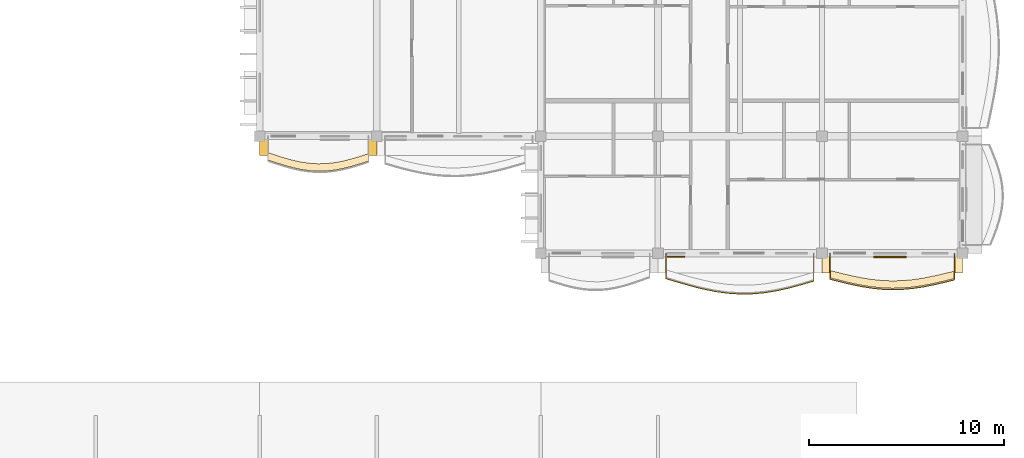
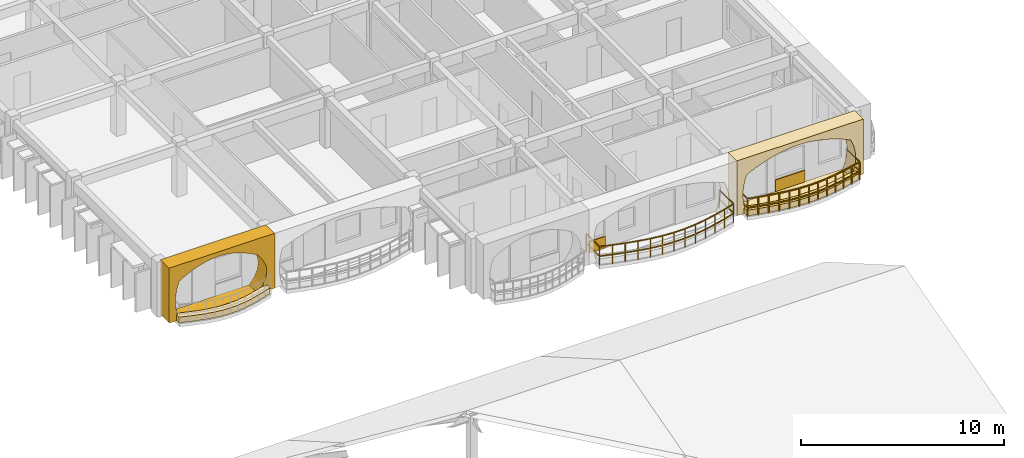
# One storey, part 90 of 101: 6 coverings, 2 railings.
"""IFC4 building model written with IfcOpenShell, lengths in metres."""

from ifc_helpers import new_model, si_unit, direction, frame, origin, origin_2d, place, context, subcontext, project, spatial, polyline, rectangle, outline, extrude, material, layer, layer_set, type_object, element, save


model = new_model("IFC4")

# Units and contexts
model_context = context("Model", 3, precision=1e-05, world=origin(), true_north=direction((0.0, 1.0)))
body_context = subcontext(model_context, "Body", "Model", "MODEL_VIEW")
ifc_project = project(units=[si_unit("LENGTHUNIT", "METRE"), si_unit("AREAUNIT", "SQUARE_METRE"), si_unit("VOLUMEUNIT", "CUBIC_METRE"), si_unit("PLANEANGLEUNIT", "RADIAN"), si_unit("MASSUNIT", "GRAM", prefix="KILO"), si_unit("THERMODYNAMICTEMPERATUREUNIT", "KELVIN")], contexts=[model_context])

# Site, building, storey
site_placement = place(None, origin())
site = spatial("IfcSite", under=ifc_project, at=site_placement, CompositionType="ELEMENT")
building_placement = place(site_placement, origin())
building = spatial("IfcBuilding", under=site, at=building_placement, Name="Thalorik Housing Commons", CompositionType="ELEMENT")
storey_placement = place(building_placement, frame((0.0, 0.0, 8.10009765625)))
storey = spatial("IfcBuildingStorey", under=building, at=storey_placement, Name="L02", CompositionType="ELEMENT", Elevation=8.10009765625)

# Coverings
ifc_material_1 = material(Name="Cobalt blue glazed ceramic facade tile panel", Category="masonry")
ifc_layer_1 = layer(ifc_material_1, 0.06005859375, Name="Cobalt blue glazed ceramic facade tile panel", Category="masonry")
ifc_layer_set_1 = layer_set([ifc_layer_1], Name="Cobalt blue glazed ceramic facade tile panel")
covering_type_1 = type_object("IfcCoveringType", Name="ARC-CLD-BLU-60", PredefinedType="CLADDING", material=ifc_layer_set_1)
covering_1_placement = place(storey_placement, frame((170.2900390625, 37.012451171875, 0.0498046875), z_axis=(0.0, 0.0, 1.0), x_axis=(1.0, 0.0, 0.0)))
element("IfcCovering", 1, at=covering_1_placement, inside=storey, type_object=covering_type_1, Name="L02 De Stijl Recessed Window Spandrel 4671", PredefinedType="CLADDING", context=body_context, shape_type="SweptSolid", body=[
    extrude(rectangle(XDim=1.679931640625, YDim=0.06005859375, at=origin_2d()), origin(), (0.0, 0.0, 1.0), 0.699951171875),
])
ifc_material_2 = material(Name="Precast concrete C40/50", Category="concrete")
ifc_layer_2 = layer(ifc_material_2, 0.85009765625, Name="Precast concrete C40/50", Category="concrete")
ifc_layer_set_2 = layer_set([ifc_layer_2], Name="Precast concrete C40/50")
covering_type_2 = type_object("IfcCoveringType", Name="ARC-CLD-CUSH-850", PredefinedType="CLADDING", material=ifc_layer_set_2)
covering_2_placement = place(storey_placement, frame((141.0, 42.62255859375, 0.0), z_axis=(0.0, 0.0, 1.0), x_axis=(1.0, 0.0, 0.0)))
element("IfcCovering", 2, at=covering_2_placement, inside=storey, type_object=covering_type_2, Name="L02 White Precast Curved Cushion Bay Frame 4655", PredefinedType="CLADDING", context=body_context, shape_type="SweptSolid", body=[
    extrude(outline(polyline([(-3.0, 0.0), (3.0, 0.0), (3.0, 3.300048828125), (-3.0, 3.300048828125), (-3.0, 0.0)]), holes=[polyline([(2.0400390625, 0.02490234375), (2.3232421875, 0.407470703125), (2.493408203125, 0.7900390625), (2.550048828125, 1.172607421875), (2.493408203125, 1.554931640625), (2.3232421875, 1.9375), (2.0400390625, 2.320068359375), (1.66748046875, 2.539306640625), (1.294921875, 2.711181640625), (0.922607421875, 2.8505859375), (0.550048828125, 2.954345703125), (0.177490234375, 3.018310546875), (-0.195068359375, 3.0400390625), (-0.5673828125, 3.018310546875), (-0.93994140625, 2.954345703125), (-1.3125, 2.8505859375), (-1.68505859375, 2.711181640625), (-2.0576171875, 2.539306640625), (-2.429931640625, 2.320068359375), (-2.55029296875, 1.9375), (-2.62255859375, 1.554931640625), (-2.646484375, 1.172607421875), (-2.62255859375, 0.7900390625), (-2.55029296875, 0.407470703125), (-2.429931640625, 0.02490234375), (2.0400390625, 0.02490234375)])]), frame((0.0, 0.425048828125, 0.0), z_axis=(0.0, -1.0, 0.0), x_axis=(1.0, 0.0, 0.0)), (0.0, 0.0, 1.0), 0.85009765625),
])
covering_3_placement = place(storey_placement, frame((170.39990234375, 36.62255859375, 0.0), z_axis=(0.0, 0.0, 1.0), x_axis=(1.0, 0.0, 0.0)))
element("IfcCovering", 3, at=covering_3_placement, inside=storey, type_object=covering_type_2, Name="L02 White Precast Curved Cushion Bay Frame 4670", PredefinedType="CLADDING", context=body_context, shape_type="SweptSolid", body=[
    extrude(outline(polyline([(-3.60009765625, 0.0), (3.60009765625, 0.0), (3.60009765625, 3.300048828125), (-3.60009765625, 3.300048828125), (-3.60009765625, 0.0)]), holes=[polyline([(2.889892578125, 0.02490234375), (3.039794921875, 0.40087890625), (3.1298828125, 0.776611328125), (3.159912109375, 1.152587890625), (3.1298828125, 1.5283203125), (3.039794921875, 1.904296875), (2.889892578125, 2.280029296875), (2.396728515625, 2.51123046875), (1.9033203125, 2.693115234375), (1.409912109375, 2.840087890625), (0.916748046875, 2.94970703125), (0.42333984375, 3.01708984375), (-0.070068359375, 3.0400390625), (-0.563232421875, 3.01708984375), (-1.056640625, 2.94970703125), (-1.550048828125, 2.840087890625), (-2.043212890625, 2.693115234375), (-2.53662109375, 2.51123046875), (-3.030029296875, 2.280029296875), (-3.150390625, 1.904296875), (-3.222412109375, 1.5283203125), (-3.24658203125, 1.152587890625), (-3.222412109375, 0.776611328125), (-3.150390625, 0.40087890625), (-3.030029296875, 0.02490234375), (2.889892578125, 0.02490234375)])]), frame((0.0, 0.425048828125, 0.0), z_axis=(0.0, -1.0, 0.0), x_axis=(1.0, 0.0, 0.0)), (0.0, 0.0, 1.0), 0.85009765625),
])
ifc_material_3 = material(Name="Terracotta red mineral fibre-cement panel", Category="masonry")
ifc_layer_3 = layer(ifc_material_3, 0.054931640625, Name="Terracotta red mineral fibre-cement panel", Category="masonry")
ifc_layer_set_3 = layer_set([ifc_layer_3], Name="Terracotta red mineral fibre-cement panel")
covering_type_3 = type_object("IfcCoveringType", Name="ARC-CLD-RED-55", PredefinedType="CLADDING", material=ifc_layer_set_3)
covering_4_placement = place(storey_placement, frame((159.3349609375, 37.014892578125, 0.0498046875), z_axis=(0.0, 0.0, 1.0), x_axis=(1.0, 0.0, 0.0)))
element("IfcCovering", 4, at=covering_4_placement, inside=storey, type_object=covering_type_3, Name="L02 De Stijl Recessed Window Spandrel 4669", PredefinedType="CLADDING", context=body_context, shape_type="SweptSolid", body=[
    extrude(rectangle(XDim=0.89990234375, YDim=0.054931640625, at=origin_2d()), origin(), (0.0, 0.0, 1.0), 0.699951171875),
])
ifc_material_4 = material(Name="Planted vegetated substrate and terracotta trough", Category="masonry")
ifc_layer_4 = layer(ifc_material_4, 0.340087890625, Name="Planted vegetated substrate and terracotta trough", Category="masonry")
ifc_layer_set_4 = layer_set([ifc_layer_4], Name="Planted vegetated substrate and terracotta trough")
covering_type_4 = type_object("IfcCoveringType", Name="ARC-COV-PLANTER", PredefinedType="USERDEFINED", material=ifc_layer_set_4)
covering_5_placement = place(storey_placement, origin())
element("IfcCovering", 5, at=covering_5_placement, inside=storey, type_object=covering_type_4, Name="L02 Balcony Slab-Edge Planted Trough 5652", ObjectType="PLANTER", PredefinedType="USERDEFINED", context=body_context, shape_type="SweptSolid", body=[
    extrude(outline(polyline([(167.219970703125, 35.937744140625), (167.75, 35.80419921875), (168.280029296875, 35.678466796875), (168.81005859375, 35.56884765625), (169.340087890625, 35.4833984375), (169.8701171875, 35.42822265625), (170.39990234375, 35.406982421875), (170.929931640625, 35.421142578125), (171.4599609375, 35.469482421875), (171.989990234375, 35.549072265625), (172.52001953125, 35.653564453125), (173.050048828125, 35.77587890625), (173.580078125, 35.9072265625), (173.580078125, 36.287109375), (173.050048828125, 36.156005859375), (172.52001953125, 36.03369140625), (171.989990234375, 35.928955078125), (171.4599609375, 35.849609375), (170.929931640625, 35.801025390625), (170.39990234375, 35.787109375), (169.8701171875, 35.808349609375), (169.340087890625, 35.863525390625), (168.81005859375, 35.948974609375), (168.280029296875, 36.058349609375), (167.75, 36.184326171875), (167.219970703125, 36.31787109375), (167.219970703125, 35.937744140625)])), origin(), (0.0, 0.0, 1.0), 0.33984375),
])
covering_6_placement = place(storey_placement, origin())
element("IfcCovering", 6, at=covering_6_placement, inside=storey, type_object=covering_type_4, Name="L02 Balcony Slab-Edge Planted Trough 5653", ObjectType="PLANTER", PredefinedType="USERDEFINED", context=body_context, shape_type="SweptSolid", body=[
    extrude(outline(polyline([(138.419921875, 41.978271484375), (138.85009765625, 41.83544921875), (139.280029296875, 41.7001953125), (139.7099609375, 41.581787109375), (140.139892578125, 41.4892578125), (140.570068359375, 41.428466796875), (141.0, 41.40380859375), (141.429931640625, 41.4169921875), (141.860107421875, 41.466796875), (142.2900390625, 41.549072265625), (142.719970703125, 41.658203125), (143.14990234375, 41.78564453125), (143.580078125, 41.922607421875), (143.580078125, 42.302734375), (143.14990234375, 42.165771484375), (142.719970703125, 42.0380859375), (142.2900390625, 41.928955078125), (141.860107421875, 41.8466796875), (141.429931640625, 41.797119140625), (141.0, 41.783935546875), (140.570068359375, 41.80859375), (140.139892578125, 41.869140625), (139.7099609375, 41.9619140625), (139.280029296875, 42.080078125), (138.85009765625, 42.21533203125), (138.419921875, 42.3583984375), (138.419921875, 41.978271484375)])), origin(), (0.0, 0.0, 1.0), 0.33984375),
])

# Railings
ifc_material_5 = material(Name="Steel S355", Category="steel")
railing_type_1 = type_object("IfcRailingType", Name="ARC-RL-BAL-112", PredefinedType="BALUSTRADE", material=ifc_material_5)
railing_1_placement = place(storey_placement, frame((167.219970703125, 37.199951171875, 0.0)))
element("IfcRailing", 7, at=railing_1_placement, inside=storey, type_object=railing_type_1, Name="L02 Cushion Balcony Guardrail 336", PredefinedType="BALUSTRADE", context=body_context, shape_type="SweptSolid", body=[
    extrude(rectangle(XDim=0.050048828125, YDim=0.050048828125, at=origin_2d()), frame((0.0, 0.0, 1.09521484375), z_axis=(0.0, -1.0, 0.0), x_axis=(1.0, 0.0, 0.0)), (0.0, 0.0, 1.0), 1.33203125),
    extrude(rectangle(XDim=0.050048828125, YDim=0.050048828125, at=origin_2d()), frame((0.0, 0.0, 0.53515625), z_axis=(0.0, -1.0, 0.0), x_axis=(1.0, 0.0, 0.0)), (0.0, 0.0, 1.0), 1.33203125),
    extrude(rectangle(XDim=0.050048828125, YDim=0.050048828125, at=origin_2d()), frame((0.0, -1.33203125, 1.09521484375), z_axis=(0.969694197146, -0.244321845158, 0.0), x_axis=(0.244321845158, 0.969694197146, 0.0)), (0.0, 0.0, 1.0), 0.546630859375),
    extrude(rectangle(XDim=0.050048828125, YDim=0.050048828125, at=origin_2d()), frame((0.0, -1.33203125, 0.53515625), z_axis=(0.969694197146, -0.244321845158, 0.0), x_axis=(0.244321845158, 0.969694197146, 0.0)), (0.0, 0.0, 1.0), 0.546630859375),
    extrude(rectangle(XDim=0.050048828125, YDim=0.050048828125, at=origin_2d()), frame((0.530029296875, -1.465576171875, 1.09521484375), z_axis=(0.972897496671, -0.231236807131, 0.0), x_axis=(0.231236807131, 0.972897496671, 0.0)), (0.0, 0.0, 1.0), 0.544677734375),
    extrude(rectangle(XDim=0.050048828125, YDim=0.050048828125, at=origin_2d()), frame((0.530029296875, -1.465576171875, 0.53515625), z_axis=(0.972897496671, -0.231236807131, 0.0), x_axis=(0.231236807131, 0.972897496671, 0.0)), (0.0, 0.0, 1.0), 0.544677734375),
    extrude(rectangle(XDim=0.050048828125, YDim=0.050048828125, at=origin_2d()), frame((1.06005859375, -1.591552734375, 1.09521484375), z_axis=(0.979275846701, -0.202531024951, 0.0), x_axis=(0.202531024951, 0.979275846701, 0.0)), (0.0, 0.0, 1.0), 0.541259765625),
    extrude(rectangle(XDim=0.050048828125, YDim=0.050048828125, at=origin_2d()), frame((1.06005859375, -1.591552734375, 0.53515625), z_axis=(0.979275846701, -0.202531024951, 0.0), x_axis=(0.202531024951, 0.979275846701, 0.0)), (0.0, 0.0, 1.0), 0.541259765625),
    extrude(rectangle(XDim=0.050048828125, YDim=0.050048828125, at=origin_2d()), frame((1.590087890625, -1.701171875, 1.09521484375), z_axis=(0.987324008957, -0.158717678087, 0.0), x_axis=(0.158717678087, 0.987324008957, 0.0)), (0.0, 0.0, 1.0), 0.536865234375),
    extrude(rectangle(XDim=0.050048828125, YDim=0.050048828125, at=origin_2d()), frame((1.590087890625, -1.701171875, 0.53515625), z_axis=(0.987324008957, -0.158717678087, 0.0), x_axis=(0.158717678087, 0.987324008957, 0.0)), (0.0, 0.0, 1.0), 0.536865234375),
    extrude(rectangle(XDim=0.050048828125, YDim=0.050048828125, at=origin_2d()), frame((2.1201171875, -1.786376953125, 1.09521484375), z_axis=(0.994625291604, -0.1035399889, 0.0), x_axis=(0.1035399889, 0.994625291604, 0.0)), (0.0, 0.0, 1.0), 0.532958984375),
    extrude(rectangle(XDim=0.050048828125, YDim=0.050048828125, at=origin_2d()), frame((2.1201171875, -1.786376953125, 0.53515625), z_axis=(0.994625291604, -0.1035399889, 0.0), x_axis=(0.1035399889, 0.994625291604, 0.0)), (0.0, 0.0, 1.0), 0.532958984375),
    extrude(rectangle(XDim=0.050048828125, YDim=0.050048828125, at=origin_2d()), frame((2.650146484375, -1.841552734375, 1.09521484375), z_axis=(0.999178740093, -0.040519690842, 0.0), x_axis=(0.040519690842, 0.999178740093, 0.0)), (0.0, 0.0, 1.0), 0.5302734375),
    extrude(rectangle(XDim=0.050048828125, YDim=0.050048828125, at=origin_2d()), frame((2.650146484375, -1.841552734375, 0.53515625), z_axis=(0.999178740093, -0.040519690842, 0.0), x_axis=(0.040519690842, 0.999178740093, 0.0)), (0.0, 0.0, 1.0), 0.5302734375),
    extrude(rectangle(XDim=0.050048828125, YDim=0.050048828125, at=origin_2d()), frame((3.179931640625, -1.863037109375, 1.09521484375), z_axis=(0.999643323955, 0.026706270285, 0.0), x_axis=(-0.026706270285, 0.999643323955, 0.0)), (0.0, 0.0, 1.0), 0.5302734375),
    extrude(rectangle(XDim=0.050048828125, YDim=0.050048828125, at=origin_2d()), frame((3.179931640625, -1.863037109375, 0.53515625), z_axis=(0.999643323955, 0.026706270285, 0.0), x_axis=(-0.026706270285, 0.999643323955, 0.0)), (0.0, 0.0, 1.0), 0.5302734375),
    extrude(rectangle(XDim=0.050048828125, YDim=0.050048828125, at=origin_2d()), frame((3.7099609375, -1.848876953125, 1.09521484375), z_axis=(0.995825252028, 0.091280158984, 0.0), x_axis=(-0.091280158984, 0.995825252028, 0.0)), (0.0, 0.0, 1.0), 0.5322265625),
    extrude(rectangle(XDim=0.050048828125, YDim=0.050048828125, at=origin_2d()), frame((3.7099609375, -1.848876953125, 0.53515625), z_axis=(0.995825252028, 0.091280158984, 0.0), x_axis=(-0.091280158984, 0.995825252028, 0.0)), (0.0, 0.0, 1.0), 0.5322265625),
    extrude(rectangle(XDim=0.050048828125, YDim=0.050048828125, at=origin_2d()), frame((4.239990234375, -1.80029296875, 1.09521484375), z_axis=(0.988979748374, 0.148050860535, 0.0), x_axis=(-0.148050860535, 0.988979748374, 0.0)), (0.0, 0.0, 1.0), 0.535888671875),
    extrude(rectangle(XDim=0.050048828125, YDim=0.050048828125, at=origin_2d()), frame((4.239990234375, -1.80029296875, 0.53515625), z_axis=(0.988979748374, 0.148050860535, 0.0), x_axis=(-0.148050860535, 0.988979748374, 0.0)), (0.0, 0.0, 1.0), 0.535888671875),
    extrude(rectangle(XDim=0.050048828125, YDim=0.050048828125, at=origin_2d()), frame((4.77001953125, -1.720947265625, 1.09521484375), z_axis=(0.981115800949, 0.193421263384, 0.0), x_axis=(-0.193421263384, 0.981115800949, 0.0)), (0.0, 0.0, 1.0), 0.540283203125),
    extrude(rectangle(XDim=0.050048828125, YDim=0.050048828125, at=origin_2d()), frame((4.77001953125, -1.720947265625, 0.53515625), z_axis=(0.981115800949, 0.193421263384, 0.0), x_axis=(-0.193421263384, 0.981115800949, 0.0)), (0.0, 0.0, 1.0), 0.540283203125),
    extrude(rectangle(XDim=0.050048828125, YDim=0.050048828125, at=origin_2d()), frame((5.300048828125, -1.616455078125, 1.09521484375), z_axis=(0.974391195695, 0.224859506699, 0.0), x_axis=(-0.224859506699, 0.974391195695, 0.0)), (0.0, 0.0, 1.0), 0.5439453125),
    extrude(rectangle(XDim=0.050048828125, YDim=0.050048828125, at=origin_2d()), frame((5.300048828125, -1.616455078125, 0.53515625), z_axis=(0.974391195695, 0.224859506699, 0.0), x_axis=(-0.224859506699, 0.974391195695, 0.0)), (0.0, 0.0, 1.0), 0.5439453125),
    extrude(rectangle(XDim=0.050048828125, YDim=0.050048828125, at=origin_2d()), frame((5.830078125, -1.494140625, 1.09521484375), z_axis=(0.970640133933, 0.24053633904, 0.0), x_axis=(-0.24053633904, 0.970640133933, 0.0)), (0.0, 0.0, 1.0), 0.546142578125),
    extrude(rectangle(XDim=0.050048828125, YDim=0.050048828125, at=origin_2d()), frame((5.830078125, -1.494140625, 0.53515625), z_axis=(0.970640133933, 0.24053633904, 0.0), x_axis=(-0.24053633904, 0.970640133933, 0.0)), (0.0, 0.0, 1.0), 0.546142578125),
    extrude(rectangle(XDim=0.050048828125, YDim=0.050048828125, at=origin_2d()), frame((6.360107421875, -1.36279296875, 1.09521484375), z_axis=(0.0, 1.0, 0.0), x_axis=(-1.0, 0.0, 0.0)), (0.0, 0.0, 1.0), 1.36279296875),
    extrude(rectangle(XDim=0.050048828125, YDim=0.050048828125, at=origin_2d()), frame((6.360107421875, -1.36279296875, 0.53515625), z_axis=(0.0, 1.0, 0.0), x_axis=(-1.0, 0.0, 0.0)), (0.0, 0.0, 1.0), 1.36279296875),
    extrude(rectangle(XDim=0.0419921875, YDim=0.0419921875, at=origin_2d()), origin(), (0.0, 0.0, 1.0), 1.070068359375),
    extrude(rectangle(XDim=0.0419921875, YDim=0.0419921875, at=origin_2d()), frame((0.0, -1.33203125, 0.0)), (0.0, 0.0, 1.0), 1.070068359375),
    extrude(rectangle(XDim=0.0419921875, YDim=0.0419921875, at=origin_2d()), frame((0.530029296875, -1.465576171875, 0.0)), (0.0, 0.0, 1.0), 1.070068359375),
    extrude(rectangle(XDim=0.0419921875, YDim=0.0419921875, at=origin_2d()), frame((1.06005859375, -1.591552734375, 0.0)), (0.0, 0.0, 1.0), 1.070068359375),
    extrude(rectangle(XDim=0.0419921875, YDim=0.0419921875, at=origin_2d()), frame((1.590087890625, -1.701171875, 0.0)), (0.0, 0.0, 1.0), 1.070068359375),
    extrude(rectangle(XDim=0.0419921875, YDim=0.0419921875, at=origin_2d()), frame((2.1201171875, -1.786376953125, 0.0)), (0.0, 0.0, 1.0), 1.070068359375),
    extrude(rectangle(XDim=0.0419921875, YDim=0.0419921875, at=origin_2d()), frame((2.650146484375, -1.841552734375, 0.0)), (0.0, 0.0, 1.0), 1.070068359375),
    extrude(rectangle(XDim=0.0419921875, YDim=0.0419921875, at=origin_2d()), frame((3.179931640625, -1.863037109375, 0.0)), (0.0, 0.0, 1.0), 1.070068359375),
    extrude(rectangle(XDim=0.0419921875, YDim=0.0419921875, at=origin_2d()), frame((3.7099609375, -1.848876953125, 0.0)), (0.0, 0.0, 1.0), 1.070068359375),
    extrude(rectangle(XDim=0.0419921875, YDim=0.0419921875, at=origin_2d()), frame((4.239990234375, -1.80029296875, 0.0)), (0.0, 0.0, 1.0), 1.070068359375),
    extrude(rectangle(XDim=0.0419921875, YDim=0.0419921875, at=origin_2d()), frame((4.77001953125, -1.720947265625, 0.0)), (0.0, 0.0, 1.0), 1.070068359375),
    extrude(rectangle(XDim=0.0419921875, YDim=0.0419921875, at=origin_2d()), frame((5.300048828125, -1.616455078125, 0.0)), (0.0, 0.0, 1.0), 1.070068359375),
    extrude(rectangle(XDim=0.0419921875, YDim=0.0419921875, at=origin_2d()), frame((5.830078125, -1.494140625, 0.0)), (0.0, 0.0, 1.0), 1.070068359375),
    extrude(rectangle(XDim=0.0419921875, YDim=0.0419921875, at=origin_2d()), frame((6.360107421875, -1.36279296875, 0.0)), (0.0, 0.0, 1.0), 1.070068359375),
    extrude(rectangle(XDim=0.0419921875, YDim=0.0419921875, at=origin_2d()), frame((6.360107421875, 0.0, 0.0)), (0.0, 0.0, 1.0), 1.070068359375),
])
railing_type_2 = type_object("IfcRailingType", Name="ARC-RL-BAL-115", PredefinedType="BALUSTRADE", material=ifc_material_5)
railing_2_placement = place(storey_placement, frame((158.820068359375, 37.199951171875, 0.0)))
element("IfcRailing", 8, at=railing_2_placement, inside=storey, type_object=railing_type_2, Name="L02 Cushion Balcony Guardrail 335", PredefinedType="BALUSTRADE", context=body_context, shape_type="SweptSolid", body=[
    extrude(rectangle(XDim=0.050048828125, YDim=0.050048828125, at=origin_2d()), frame((0.0, 0.0, 1.125), z_axis=(0.0, -1.0, 0.0), x_axis=(1.0, 0.0, 0.0)), (0.0, 0.0, 1.0), 1.301513671875),
    extrude(rectangle(XDim=0.050048828125, YDim=0.050048828125, at=origin_2d()), frame((0.0, 0.0, 0.5498046875), z_axis=(0.0, -1.0, 0.0), x_axis=(1.0, 0.0, 0.0)), (0.0, 0.0, 1.0), 1.301513671875),
    extrude(rectangle(XDim=0.050048828125, YDim=0.050048828125, at=origin_2d()), frame((0.0, -1.301513671875, 1.125), z_axis=(0.958437567863, -0.285302345782, 0.0), x_axis=(0.285302345782, 0.958437567863, 0.0)), (0.0, 0.0, 1.0), 0.6572265625),
    extrude(rectangle(XDim=0.050048828125, YDim=0.050048828125, at=origin_2d()), frame((0.0, -1.301513671875, 0.5498046875), z_axis=(0.958437567863, -0.285302345782, 0.0), x_axis=(0.285302345782, 0.958437567863, 0.0)), (0.0, 0.0, 1.0), 0.6572265625),
    extrude(rectangle(XDim=0.050048828125, YDim=0.050048828125, at=origin_2d()), frame((0.6298828125, -1.489013671875, 1.125), z_axis=(0.96166442312, -0.274228986988, 0.0), x_axis=(0.274228986988, 0.96166442312, 0.0)), (0.0, 0.0, 1.0), 0.6552734375),
    extrude(rectangle(XDim=0.050048828125, YDim=0.050048828125, at=origin_2d()), frame((0.6298828125, -1.489013671875, 0.5498046875), z_axis=(0.96166442312, -0.274228986988, 0.0), x_axis=(0.274228986988, 0.96166442312, 0.0)), (0.0, 0.0, 1.0), 0.6552734375),
    extrude(rectangle(XDim=0.050048828125, YDim=0.050048828125, at=origin_2d()), frame((1.260009765625, -1.668701171875, 1.125), z_axis=(0.969520404283, -0.245010582788, 0.0), x_axis=(0.245010582788, 0.969520404283, 0.0)), (0.0, 0.0, 1.0), 0.649658203125),
    extrude(rectangle(XDim=0.050048828125, YDim=0.050048828125, at=origin_2d()), frame((1.260009765625, -1.668701171875, 0.5498046875), z_axis=(0.969520404283, -0.245010582788, 0.0), x_axis=(0.245010582788, 0.969520404283, 0.0)), (0.0, 0.0, 1.0), 0.649658203125),
    extrude(rectangle(XDim=0.050048828125, YDim=0.050048828125, at=origin_2d()), frame((1.889892578125, -1.827880859375, 1.125), z_axis=(0.98000698978, -0.198963061854, 0.0), x_axis=(0.198963061854, 0.98000698978, 0.0)), (0.0, 0.0, 1.0), 0.64306640625),
    extrude(rectangle(XDim=0.050048828125, YDim=0.050048828125, at=origin_2d()), frame((1.889892578125, -1.827880859375, 0.5498046875), z_axis=(0.98000698978, -0.198963061854, 0.0), x_axis=(0.198963061854, 0.98000698978, 0.0)), (0.0, 0.0, 1.0), 0.64306640625),
    extrude(rectangle(XDim=0.050048828125, YDim=0.050048828125, at=origin_2d()), frame((2.52001953125, -1.955810546875, 1.125), z_axis=(0.990509702851, -0.137442819233, 0.0), x_axis=(0.137442819233, 0.990509702851, 0.0)), (0.0, 0.0, 1.0), 0.635986328125),
    extrude(rectangle(XDim=0.050048828125, YDim=0.050048828125, at=origin_2d()), frame((2.52001953125, -1.955810546875, 0.5498046875), z_axis=(0.990509702851, -0.137442819233, 0.0), x_axis=(0.137442819233, 0.990509702851, 0.0)), (0.0, 0.0, 1.0), 0.635986328125),
    extrude(rectangle(XDim=0.050048828125, YDim=0.050048828125, at=origin_2d()), frame((3.14990234375, -2.043212890625, 1.125), z_axis=(0.997913271736, -0.064568584417, 0.0), x_axis=(0.064568584417, 0.997913271736, 0.0)), (0.0, 0.0, 1.0), 0.63134765625),
    extrude(rectangle(XDim=0.050048828125, YDim=0.050048828125, at=origin_2d()), frame((3.14990234375, -2.043212890625, 0.5498046875), z_axis=(0.997913271736, -0.064568584417, 0.0), x_axis=(0.064568584417, 0.997913271736, 0.0)), (0.0, 0.0, 1.0), 0.63134765625),
    extrude(rectangle(XDim=0.050048828125, YDim=0.050048828125, at=origin_2d()), frame((3.780029296875, -2.083984375, 1.125), z_axis=(0.999907995993, 0.013564643356, 0.0), x_axis=(-0.013564643356, 0.999907995993, 0.0)), (0.0, 0.0, 1.0), 0.6298828125),
    extrude(rectangle(XDim=0.050048828125, YDim=0.050048828125, at=origin_2d()), frame((3.780029296875, -2.083984375, 0.5498046875), z_axis=(0.999907995993, 0.013564643356, 0.0), x_axis=(-0.013564643356, 0.999907995993, 0.0)), (0.0, 0.0, 1.0), 0.6298828125),
    extrude(rectangle(XDim=0.050048828125, YDim=0.050048828125, at=origin_2d()), frame((4.409912109375, -2.075439453125, 1.125), z_axis=(0.995880545904, 0.090674904412, 0.0), x_axis=(-0.090674904412, 0.995880545904, 0.0)), (0.0, 0.0, 1.0), 0.6328125),
    extrude(rectangle(XDim=0.050048828125, YDim=0.050048828125, at=origin_2d()), frame((4.409912109375, -2.075439453125, 0.5498046875), z_axis=(0.995880545904, 0.090674904412, 0.0), x_axis=(-0.090674904412, 0.995880545904, 0.0)), (0.0, 0.0, 1.0), 0.6328125),
    extrude(rectangle(XDim=0.050048828125, YDim=0.050048828125, at=origin_2d()), frame((5.0400390625, -2.01806640625, 1.125), z_axis=(0.986946533739, 0.161048252211, 0.0), x_axis=(-0.161048252211, 0.986946533739, 0.0)), (0.0, 0.0, 1.0), 0.63818359375),
    extrude(rectangle(XDim=0.050048828125, YDim=0.050048828125, at=origin_2d()), frame((5.0400390625, -2.01806640625, 0.5498046875), z_axis=(0.986946533739, 0.161048252211, 0.0), x_axis=(-0.161048252211, 0.986946533739, 0.0)), (0.0, 0.0, 1.0), 0.63818359375),
    extrude(rectangle(XDim=0.050048828125, YDim=0.050048828125, at=origin_2d()), frame((5.669921875, -1.915283203125, 1.125), z_axis=(0.975990917387, 0.217811223718, 0.0), x_axis=(-0.217811223718, 0.975990917387, 0.0)), (0.0, 0.0, 1.0), 0.6455078125),
    extrude(rectangle(XDim=0.050048828125, YDim=0.050048828125, at=origin_2d()), frame((5.669921875, -1.915283203125, 0.5498046875), z_axis=(0.975990917387, 0.217811223718, 0.0), x_axis=(-0.217811223718, 0.975990917387, 0.0)), (0.0, 0.0, 1.0), 0.6455078125),
    extrude(rectangle(XDim=0.050048828125, YDim=0.050048828125, at=origin_2d()), frame((6.300048828125, -1.774658203125, 1.125), z_axis=(0.965954734925, 0.258711132493, 0.0), x_axis=(-0.258711132493, 0.965954734925, 0.0)), (0.0, 0.0, 1.0), 0.652099609375),
    extrude(rectangle(XDim=0.050048828125, YDim=0.050048828125, at=origin_2d()), frame((6.300048828125, -1.774658203125, 0.5498046875), z_axis=(0.965954734925, 0.258711132493, 0.0), x_axis=(-0.258711132493, 0.965954734925, 0.0)), (0.0, 0.0, 1.0), 0.652099609375),
    extrude(rectangle(XDim=0.050048828125, YDim=0.050048828125, at=origin_2d()), frame((6.929931640625, -1.60595703125, 1.125), z_axis=(0.959146180729, 0.282910947107, 0.0), x_axis=(-0.282910947107, 0.959146180729, 0.0)), (0.0, 0.0, 1.0), 0.65673828125),
    extrude(rectangle(XDim=0.050048828125, YDim=0.050048828125, at=origin_2d()), frame((6.929931640625, -1.60595703125, 0.5498046875), z_axis=(0.959146180729, 0.282910947107, 0.0), x_axis=(-0.282910947107, 0.959146180729, 0.0)), (0.0, 0.0, 1.0), 0.65673828125),
    extrude(rectangle(XDim=0.050048828125, YDim=0.050048828125, at=origin_2d()), frame((7.559814453125, -1.420166015625, 1.125), z_axis=(0.0, 1.0, 0.0), x_axis=(-1.0, 0.0, 0.0)), (0.0, 0.0, 1.0), 1.420166015625),
    extrude(rectangle(XDim=0.050048828125, YDim=0.050048828125, at=origin_2d()), frame((7.559814453125, -1.420166015625, 0.5498046875), z_axis=(0.0, 1.0, 0.0), x_axis=(-1.0, 0.0, 0.0)), (0.0, 0.0, 1.0), 1.420166015625),
    extrude(rectangle(XDim=0.0419921875, YDim=0.0419921875, at=origin_2d()), origin(), (0.0, 0.0, 1.0), 1.099853515625),
    extrude(rectangle(XDim=0.0419921875, YDim=0.0419921875, at=origin_2d()), frame((0.0, -1.301513671875, 0.0)), (0.0, 0.0, 1.0), 1.099853515625),
    extrude(rectangle(XDim=0.0419921875, YDim=0.0419921875, at=origin_2d()), frame((0.6298828125, -1.489013671875, 0.0)), (0.0, 0.0, 1.0), 1.099853515625),
    extrude(rectangle(XDim=0.0419921875, YDim=0.0419921875, at=origin_2d()), frame((1.260009765625, -1.668701171875, 0.0)), (0.0, 0.0, 1.0), 1.099853515625),
    extrude(rectangle(XDim=0.0419921875, YDim=0.0419921875, at=origin_2d()), frame((1.889892578125, -1.827880859375, 0.0)), (0.0, 0.0, 1.0), 1.099853515625),
    extrude(rectangle(XDim=0.0419921875, YDim=0.0419921875, at=origin_2d()), frame((2.52001953125, -1.955810546875, 0.0)), (0.0, 0.0, 1.0), 1.099853515625),
    extrude(rectangle(XDim=0.0419921875, YDim=0.0419921875, at=origin_2d()), frame((3.14990234375, -2.043212890625, 0.0)), (0.0, 0.0, 1.0), 1.099853515625),
    extrude(rectangle(XDim=0.0419921875, YDim=0.0419921875, at=origin_2d()), frame((3.780029296875, -2.083984375, 0.0)), (0.0, 0.0, 1.0), 1.099853515625),
    extrude(rectangle(XDim=0.0419921875, YDim=0.0419921875, at=origin_2d()), frame((4.409912109375, -2.075439453125, 0.0)), (0.0, 0.0, 1.0), 1.099853515625),
    extrude(rectangle(XDim=0.0419921875, YDim=0.0419921875, at=origin_2d()), frame((5.0400390625, -2.01806640625, 0.0)), (0.0, 0.0, 1.0), 1.099853515625),
    extrude(rectangle(XDim=0.0419921875, YDim=0.0419921875, at=origin_2d()), frame((5.669921875, -1.915283203125, 0.0)), (0.0, 0.0, 1.0), 1.099853515625),
    extrude(rectangle(XDim=0.0419921875, YDim=0.0419921875, at=origin_2d()), frame((6.300048828125, -1.774658203125, 0.0)), (0.0, 0.0, 1.0), 1.099853515625),
    extrude(rectangle(XDim=0.0419921875, YDim=0.0419921875, at=origin_2d()), frame((6.929931640625, -1.60595703125, 0.0)), (0.0, 0.0, 1.0), 1.099853515625),
    extrude(rectangle(XDim=0.0419921875, YDim=0.0419921875, at=origin_2d()), frame((7.559814453125, -1.420166015625, 0.0)), (0.0, 0.0, 1.0), 1.099853515625),
    extrude(rectangle(XDim=0.0419921875, YDim=0.0419921875, at=origin_2d()), frame((7.559814453125, 0.0, 0.0)), (0.0, 0.0, 1.0), 1.099853515625),
])

save(model, "model.ifc")
